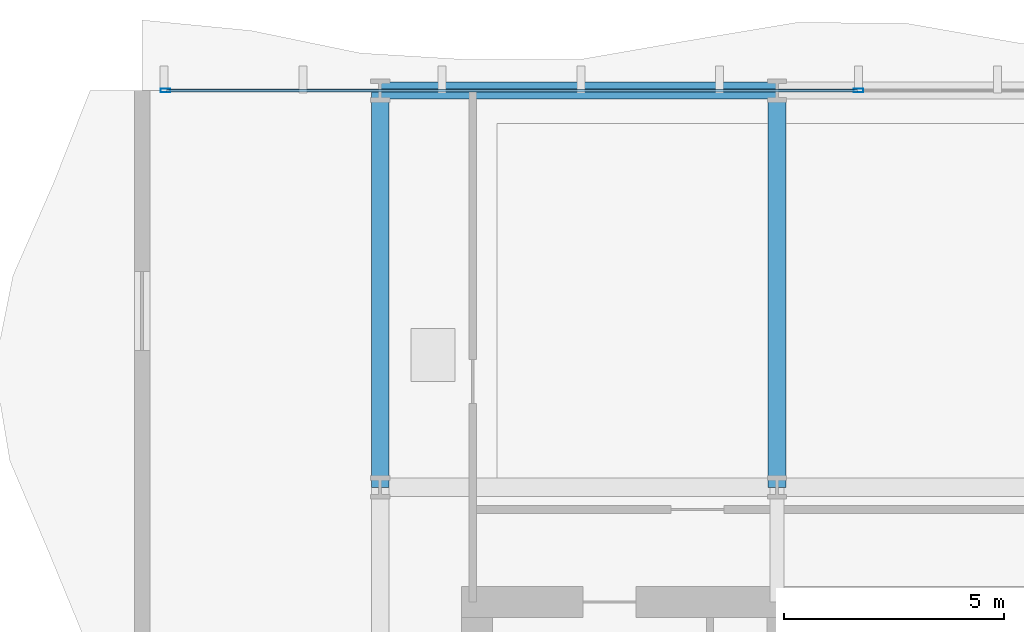
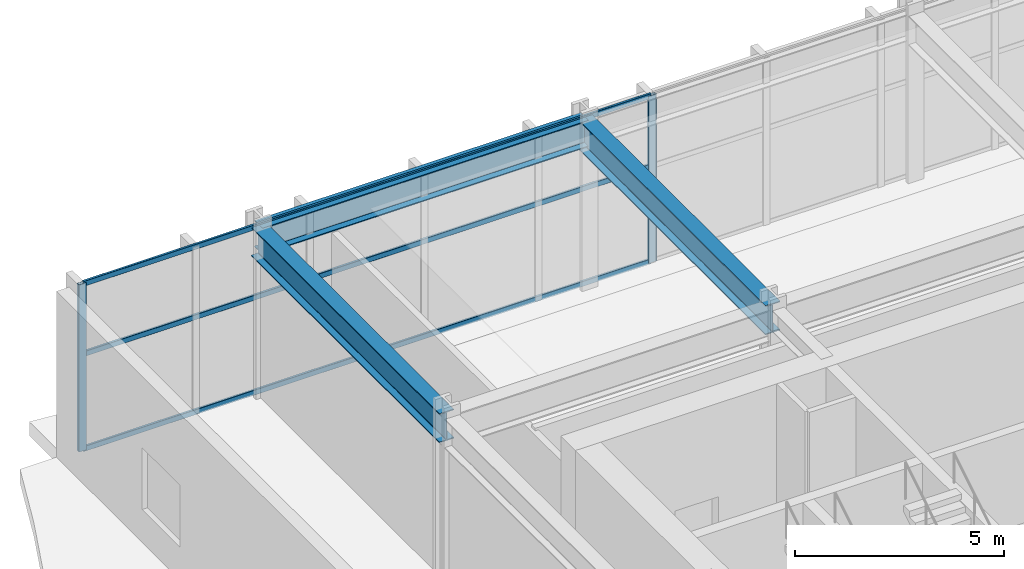
# One storey, part 15 of 31: 5 members, 3 beams, 1 element without a shape of its own.
"""IFC4 building model written with IfcOpenShell, lengths in metres."""

from ifc_helpers import new_model, si_unit, direction, frame, origin, origin_2d, place, context, subcontext, project, spatial, hollow_rectangle, i_section, extrude, material, layer, layer_set, material_profile, profile_set, type_object, element, aggregate, save


model = new_model("IFC4")

# Units and contexts
model_context = context("Model", 3, precision=1e-05, world=origin(), true_north=direction((0.0, 1.0)))
body_context = subcontext(model_context, "Body", "Model", "MODEL_VIEW")
ifc_project = project(units=[si_unit("LENGTHUNIT", "METRE"), si_unit("AREAUNIT", "SQUARE_METRE"), si_unit("VOLUMEUNIT", "CUBIC_METRE"), si_unit("PLANEANGLEUNIT", "RADIAN"), si_unit("MASSUNIT", "GRAM", prefix="KILO")], contexts=[model_context])

# Site, building, storey
site_placement = place(None, origin())
site = spatial("IfcSite", under=ifc_project, at=site_placement, CompositionType="ELEMENT")
building_placement = place(site_placement, origin())
building = spatial("IfcBuilding", under=site, at=building_placement, Name="Solvaryn Broadcast Tower", CompositionType="ELEMENT")
storey_placement = place(building_placement, frame((0.0, 0.0, 11.0)))
storey = spatial("IfcBuildingStorey", under=building, at=storey_placement, Name="L02", CompositionType="ELEMENT", Elevation=11.0)

# Beams
ifc_material_1 = material(Name="Steel ASTM A992 Grade 50", Category="steel")
ifc_material_profile_1 = material_profile(ifc_material_1, i_section(OverallWidth=0.39990234375, OverallDepth=0.85498046875, WebThickness=0.018310546875, FlangeThickness=0.029296875, FilletRadius=0.02001953125, at=origin_2d()))
ifc_profile_set_1 = profile_set([ifc_material_profile_1], Name="Steel ASTM A992 Grade 50")
beam_type_1 = type_object("IfcBeamType", Name="BM-G3-W33X201", PredefinedType="BEAM", material=ifc_profile_set_1)
for number, where, z_axis, x_axis, name in (
    (1, (9.0, 45.0, 4.452392578125), (0.0, 1.0, 0.0), (-1.0, 0.0, 0.0), "L02 Primary Beam Y (45-54 @ X=9)"),
    (2, (18.0, 45.0, 4.452392578125), (0.0, 1.0, 0.0), (-1.0, 0.0, 0.0), "L02 Primary Beam Y (45-54 @ X=18)"),
):
    element("IfcBeam", number, at=place(storey_placement, frame(where, z_axis=z_axis, x_axis=x_axis)), inside=storey, type_object=beam_type_1, Name=name, PredefinedType="BEAM", context=body_context, shape_type="SweptSolid", body=[
        extrude(i_section(OverallWidth=0.39990234375, OverallDepth=0.85498046875, WebThickness=0.018310546875, FlangeThickness=0.029296875, FilletRadius=0.02001953125, at=origin_2d()), origin(), (0.0, 0.0, 1.0), 9.0),
    ])
ifc_material_2 = material(Name="Steel ASTM A992 Grade 50", Category="steel")
ifc_material_profile_2 = material_profile(ifc_material_2, i_section(OverallWidth=0.381103515625, OverallDepth=0.77294921875, WebThickness=0.0166015625, FlangeThickness=0.027099609375, FilletRadius=0.01806640625, at=origin_2d()))
ifc_profile_set_2 = profile_set([ifc_material_profile_2], Name="Steel ASTM A992 Grade 50")
beam_type_2 = type_object("IfcBeamType", Name="BM-SP1-W30X173", PredefinedType="USERDEFINED", material=ifc_profile_set_2)
beam_placement = place(storey_placement, frame((9.0, 54.0, 4.493408203125), z_axis=(1.0, 0.0, 0.0), x_axis=(0.0, 1.0, 0.0)))
element("IfcBeam", 3, at=beam_placement, inside=storey, type_object=beam_type_2, Name="L02 Spandrel Beam X (9-18 @ Y=54)", ObjectType="SPANDREL", PredefinedType="USERDEFINED", context=body_context, shape_type="SweptSolid", body=[
    extrude(i_section(OverallWidth=0.381103515625, OverallDepth=0.77294921875, WebThickness=0.0166015625, FlangeThickness=0.027099609375, FilletRadius=0.01806640625, at=origin_2d()), origin(), (0.0, 0.0, 1.0), 9.0),
])

# Curtain wall, members
ifc_material_3 = material(Name="Aluminium and Terracotta Unitised Curtain Wall", Category="masonry")
ifc_layer = layer(ifc_material_3, 0.219970703125)
ifc_layer_set = layer_set([ifc_layer], Name="CW-SYS1-PODIUM")
curtain_wall_type = type_object("IfcCurtainWallType", Name="CW-SYS1-PODIUM", PredefinedType="NOTDEFINED", material=ifc_layer_set)
curtain_wall_placement = place(storey_placement, origin())
curtain_wall = element("IfcCurtainWall", 4, at=curtain_wall_placement, inside=storey, type_object=curtain_wall_type, Name="L02 Podium Curtain Wall N1", PredefinedType="NOTDEFINED")
ifc_material_4 = material(Name="Anodised Aluminium 6063-T6", Category="aluminium")
ifc_material_profile_3 = material_profile(ifc_material_4, hollow_rectangle(XDim=0.0849609375, YDim=0.219970703125, WallThickness=0.0048828125, InnerFilletRadius=0.0048828125, OuterFilletRadius=0.010009765625, at=origin_2d()))
ifc_profile_set_3 = profile_set([ifc_material_profile_3], Name="Anodised Aluminium 6063-T6")
member_type_1 = type_object("IfcMemberType", Name="CW-MUL-220", PredefinedType="MULLION", material=ifc_profile_set_3)
member_1_placement = place(storey_placement, frame((4.1298828125, 54.0, 0.0), z_axis=(0.0, 0.0, 1.0), x_axis=(0.0, 1.0, 0.0)))
member_1 = element("IfcMember", 5, at=member_1_placement, type_object=member_type_1, Name="CWS1 mullion 1", PredefinedType="MULLION", context=body_context, shape_type="SweptSolid", body=[
    extrude(hollow_rectangle(XDim=0.0849609375, YDim=0.219970703125, WallThickness=0.0048828125, InnerFilletRadius=0.0048828125, OuterFilletRadius=0.010009765625, at=origin_2d()), origin(), (0.0, 0.0, 1.0), 4.8798828125),
])
member_2_placement = place(storey_placement, frame((19.85009765625, 54.0, 0.0), z_axis=(0.0, 0.0, 1.0), x_axis=(0.0, 1.0, 0.0)))
member_2 = element("IfcMember", 6, at=member_2_placement, type_object=member_type_1, Name="CWS1 mullion 2", PredefinedType="MULLION", context=body_context, shape_type="SweptSolid", body=[
    extrude(hollow_rectangle(XDim=0.0849609375, YDim=0.219970703125, WallThickness=0.0048828125, InnerFilletRadius=0.0048828125, OuterFilletRadius=0.010009765625, at=origin_2d()), origin(), (0.0, 0.0, 1.0), 4.8798828125),
])
ifc_material_5 = material(Name="Anodised Aluminium 6063-T6", Category="aluminium")
ifc_material_profile_4 = material_profile(ifc_material_5, hollow_rectangle(XDim=0.06494140625, YDim=0.14990234375, WallThickness=0.00390625, InnerFilletRadius=0.00390625, OuterFilletRadius=0.008056640625, at=origin_2d()))
ifc_profile_set_4 = profile_set([ifc_material_profile_4], Name="Anodised Aluminium 6063-T6")
member_type_2 = type_object("IfcMemberType", Name="CW-TRN-150", PredefinedType="USERDEFINED", material=ifc_profile_set_4)
member_3_placement = place(storey_placement, frame((4.159912109375, 54.0, 0.030029296875), z_axis=(1.0, 0.0, 0.0), x_axis=(0.0, 1.0, 0.0)))
member_3 = element("IfcMember", 7, at=member_3_placement, type_object=member_type_2, Name="CWS1 transom 1.1", ObjectType="TRANSOM", PredefinedType="USERDEFINED", context=body_context, shape_type="SweptSolid", body=[
    extrude(hollow_rectangle(XDim=0.06494140625, YDim=0.14990234375, WallThickness=0.00390625, InnerFilletRadius=0.00390625, OuterFilletRadius=0.008056640625, at=origin_2d()), origin(), (0.0, 0.0, 1.0), 15.66015625),
])
member_4_placement = place(storey_placement, frame((4.159912109375, 54.0, 2.800048828125), z_axis=(1.0, 0.0, 0.0), x_axis=(0.0, 1.0, 0.0)))
member_4 = element("IfcMember", 8, at=member_4_placement, type_object=member_type_2, Name="CWS1 transom 1.2", ObjectType="TRANSOM", PredefinedType="USERDEFINED", context=body_context, shape_type="SweptSolid", body=[
    extrude(hollow_rectangle(XDim=0.06494140625, YDim=0.14990234375, WallThickness=0.00390625, InnerFilletRadius=0.00390625, OuterFilletRadius=0.008056640625, at=origin_2d()), origin(), (0.0, 0.0, 1.0), 15.66015625),
])
member_5_placement = place(storey_placement, frame((4.159912109375, 54.0, 4.85009765625), z_axis=(1.0, 0.0, 0.0), x_axis=(0.0, 1.0, 0.0)))
member_5 = element("IfcMember", 9, at=member_5_placement, type_object=member_type_2, Name="CWS1 transom 1.3", ObjectType="TRANSOM", PredefinedType="USERDEFINED", context=body_context, shape_type="SweptSolid", body=[
    extrude(hollow_rectangle(XDim=0.06494140625, YDim=0.14990234375, WallThickness=0.00390625, InnerFilletRadius=0.00390625, OuterFilletRadius=0.008056640625, at=origin_2d()), origin(), (0.0, 0.0, 1.0), 15.66015625),
])
aggregate(curtain_wall, [member_1, member_2, member_3, member_4, member_5])

save(model, "model.ifc")
